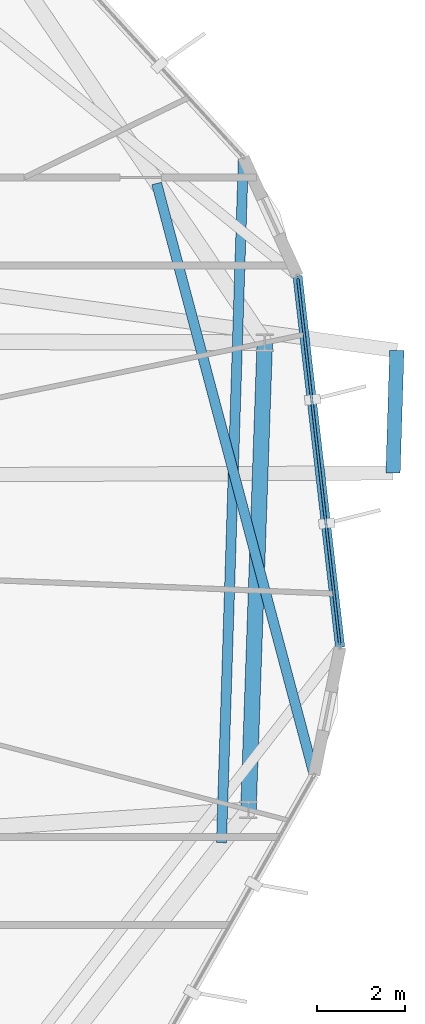
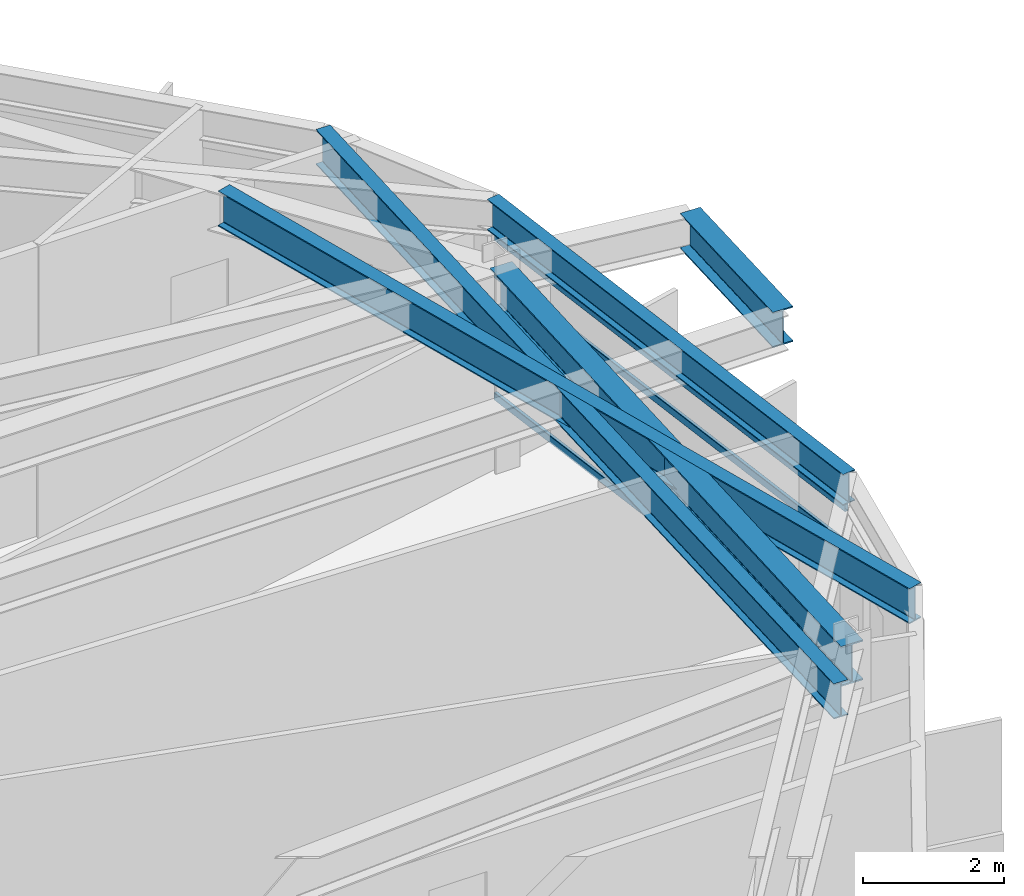
# One storey, part 11 of 23: 5 beams, 3 members, 1 element without a shape of its own.
"""IFC4 building model written with IfcOpenShell, lengths in metres."""

from ifc_helpers import new_model, si_unit, direction, frame, origin, origin_2d, place, context, subcontext, project, spatial, hollow_rectangle, i_section, extrude, material, layer, layer_set, material_profile, profile_set, type_object, element, aggregate, save


model = new_model("IFC4")

# Units and contexts
model_context = context("Model", 3, precision=1e-05, world=origin(), true_north=direction((0.0, 1.0)))
body_context = subcontext(model_context, "Body", "Model", "MODEL_VIEW")
ifc_project = project(units=[si_unit("LENGTHUNIT", "METRE"), si_unit("AREAUNIT", "SQUARE_METRE"), si_unit("VOLUMEUNIT", "CUBIC_METRE"), si_unit("PLANEANGLEUNIT", "RADIAN"), si_unit("MASSUNIT", "GRAM", prefix="KILO")], contexts=[model_context])

# Site, building, storey
site_placement = place(None, origin())
site = spatial("IfcSite", under=ifc_project, at=site_placement, CompositionType="ELEMENT")
building_placement = place(site_placement, origin())
building = spatial("IfcBuilding", under=site, at=building_placement, Name="Soratama Intermodal Tower", CompositionType="ELEMENT")
storey_placement = place(building_placement, frame((0.0, 0.0, 261.25)))
storey = spatial("IfcBuildingStorey", under=building, at=storey_placement, Name="L66", CompositionType="ELEMENT", Elevation=261.25)

# Beams
ifc_material_1 = material(Name="Structural steel ASTM A992 Grade 50", Category="steel")
ifc_material_profile_1 = material_profile(ifc_material_1, i_section(OverallWidth=0.324951171875, OverallDepth=0.615966796875, WebThickness=0.013916015625, FlangeThickness=0.021484375, FilletRadius=0.013916015625, at=origin_2d()), Name="W24X117")
ifc_profile_set_1 = profile_set([ifc_material_profile_1], Name="Structural steel ASTM A992 Grade 50")
beam_type_1 = type_object("IfcBeamType", Name="BM-CANT-W24X117", PredefinedType="BEAM", material=ifc_profile_set_1)
beam_1_placement = place(storey_placement, frame((64.450927734375, 26.778076171875, 3.14208984375), z_axis=(0.031270301844, 0.999510964533, 0.0), x_axis=(-0.999510964533, 0.031270301844, 0.0)))
element("IfcBeam", 1, at=beam_1_placement, inside=storey, type_object=beam_type_1, Name="BM-L66-CBHDR-1", PredefinedType="BEAM", context=body_context, shape_type="SweptSolid", body=[
    extrude(i_section(OverallWidth=0.324951171875, OverallDepth=0.615966796875, WebThickness=0.013916015625, FlangeThickness=0.021484375, FilletRadius=0.013916015625, at=origin_2d()), origin(), (0.0, 0.0, 1.0), 2.787353515625),
])
ifc_material_2 = material(Name="Structural steel ASTM A992 Grade 50", Category="steel")
ifc_material_profile_2 = material_profile(ifc_material_2, i_section(OverallWidth=0.35498046875, OverallDepth=0.695068359375, WebThickness=0.015380859375, FlangeThickness=0.02490234375, FilletRadius=0.01611328125, at=origin_2d()), Name="W27X146")
ifc_profile_set_2 = profile_set([ifc_material_profile_2], Name="Structural steel ASTM A992 Grade 50")
beam_type_2 = type_object("IfcBeamType", Name="BM-RING-W27X146", PredefinedType="BEAM", material=ifc_profile_set_2)
beam_2_placement = place(storey_placement, frame((61.1630859375, 19.116943359375, 3.1025390625), z_axis=(0.034885453879, 0.999391317307, 0.0), x_axis=(-0.999391317307, 0.034885453879, 0.0)))
element("IfcBeam", 2, at=beam_2_placement, inside=storey, type_object=beam_type_2, Name="BM-L66-RING-10", PredefinedType="BEAM", context=body_context, shape_type="SweptSolid", body=[
    extrude(i_section(OverallWidth=0.35498046875, OverallDepth=0.695068359375, WebThickness=0.015380859375, FlangeThickness=0.02490234375, FilletRadius=0.01611328125, at=origin_2d()), origin(), (0.0, 0.0, 1.0), 10.630615234375),
])
ifc_material_3 = material(Name="Structural steel ASTM A992 Grade 50", Category="steel")
ifc_material_profile_3 = material_profile(ifc_material_3, i_section(OverallWidth=0.2099609375, OverallDepth=0.537109375, WebThickness=0.010986328125, FlangeThickness=0.017333984375, FilletRadius=0.012939453125, at=origin_2d()), Name="W21X68")
ifc_profile_set_3 = profile_set([ifc_material_profile_3], Name="Structural steel ASTM A992 Grade 50")
beam_type_3 = type_object("IfcBeamType", Name="BM-SPN-W21X68", PredefinedType="SPANDREL", material=ifc_profile_set_3)
beam_3_placement = place(storey_placement, frame((63.248046875, 22.81396484375, 3.181396484375), z_axis=(-0.113992897863, 0.993481564619, 0.0), x_axis=(-0.993481564619, -0.113992897863, 0.0)))
element("IfcBeam", 3, at=beam_3_placement, inside=storey, type_object=beam_type_3, Name="BS-L66-F09", PredefinedType="SPANDREL", context=body_context, shape_type="SweptSolid", body=[
    extrude(i_section(OverallWidth=0.2099609375, OverallDepth=0.537109375, WebThickness=0.010986328125, FlangeThickness=0.017333984375, FilletRadius=0.012939453125, at=origin_2d()), origin(), (0.0, 0.0, 1.0), 8.50048828125),
])
ifc_material_4 = material(Name="Structural steel ASTM A992 Grade 50", Category="steel")
ifc_material_profile_4 = material_profile(ifc_material_4, i_section(OverallWidth=0.22900390625, OverallDepth=0.612060546875, WebThickness=0.011962890625, FlangeThickness=0.01953125, FilletRadius=0.012939453125, at=origin_2d()), Name="W24X84")
ifc_profile_set_4 = profile_set([ifc_material_profile_4], Name="Structural steel ASTM A992 Grade 50")
beam_type_4 = type_object("IfcBeamType", Name="BM-TIE-W24X84", PredefinedType="BEAM", material=ifc_profile_set_4)
beam_4_placement = place(storey_placement, frame((59.074951171875, 33.362060546875, 3.14404296875), z_axis=(0.25732650924, -0.966324514665, 0.0), x_axis=(0.966324514665, 0.25732650924, 0.0)))
element("IfcBeam", 4, at=beam_4_placement, inside=storey, type_object=beam_type_4, Name="BM-L66-TIE1-08", PredefinedType="BEAM", context=body_context, shape_type="SweptSolid", body=[
    extrude(i_section(OverallWidth=0.22900390625, OverallDepth=0.612060546875, WebThickness=0.011962890625, FlangeThickness=0.01953125, FilletRadius=0.012939453125, at=origin_2d()), origin(), (0.0, 0.0, 1.0), 13.924072265625),
])
beam_5_placement = place(storey_placement, frame((60.549072265625, 18.3701171875, 3.14404296875), z_axis=(0.031936585899, 0.999489897138, 0.0), x_axis=(-0.999489897138, 0.031936585899, 0.0)))
element("IfcBeam", 5, at=beam_5_placement, inside=storey, type_object=beam_type_4, Name="BM-L66-TIE0-10", PredefinedType="BEAM", context=body_context, shape_type="SweptSolid", body=[
    extrude(i_section(OverallWidth=0.22900390625, OverallDepth=0.612060546875, WebThickness=0.011962890625, FlangeThickness=0.01953125, FilletRadius=0.012939453125, at=origin_2d()), origin(), (0.0, 0.0, 1.0), 15.594970703125),
])

# Curtain wall, members
ifc_material_5 = material(Name="Double-glazed aluminium curtain wall", Category="aluminium")
ifc_layer = layer(ifc_material_5, 0.159912109375)
ifc_layer_set = layer_set([ifc_layer], Name="Double-glazed aluminium curtain wall")
curtain_wall_type = type_object("IfcCurtainWallType", Name="CW-SYS-5", PredefinedType="NOTDEFINED", material=ifc_layer_set)
curtain_wall_placement = place(storey_placement, origin())
curtain_wall = element("IfcCurtainWall", 6, at=curtain_wall_placement, inside=storey, type_object=curtain_wall_type, Name="L66 Faceted Curtain Wall F09", PredefinedType="NOTDEFINED")
ifc_material_6 = material(Name="Anodised aluminium AA 6063-T6", Category="aluminium")
ifc_material_profile_5 = material_profile(ifc_material_6, hollow_rectangle(XDim=0.06005859375, YDim=0.1298828125, WallThickness=0.0048828125, InnerFilletRadius=0.0048828125, OuterFilletRadius=0.010009765625, at=origin_2d()), Name="CWT130X60X5")
ifc_profile_set_5 = profile_set([ifc_material_profile_5], Name="Anodised aluminium AA 6063-T6")
member_type = type_object("IfcMemberType", Name="TT-CWT-2", PredefinedType="USERDEFINED", material=ifc_profile_set_5)
member_1_placement = place(storey_placement, frame((63.24072265625, 22.873779296875, 0.030029296875), z_axis=(-0.113887585018, 0.993493642646, 0.0), x_axis=(-0.993493642646, -0.113887585018, 0.0)))
member_1 = element("IfcMember", 7, at=member_1_placement, type_object=member_type, Name="CW-5 transom 1.1", ObjectType="TRANSOM", PredefinedType="USERDEFINED", context=body_context, shape_type="SweptSolid", body=[
    extrude(hollow_rectangle(XDim=0.06005859375, YDim=0.1298828125, WallThickness=0.0048828125, InnerFilletRadius=0.0048828125, OuterFilletRadius=0.010009765625, at=origin_2d()), origin(), (0.0, 0.0, 1.0), 8.379638671875),
])
member_2_placement = place(storey_placement, frame((63.24072265625, 22.873779296875, 2.14990234375), z_axis=(-0.113887585018, 0.993493642646, 0.0), x_axis=(-0.993493642646, -0.113887585018, 0.0)))
member_2 = element("IfcMember", 8, at=member_2_placement, type_object=member_type, Name="CW-5 transom 1.2", ObjectType="TRANSOM", PredefinedType="USERDEFINED", context=body_context, shape_type="SweptSolid", body=[
    extrude(hollow_rectangle(XDim=0.06005859375, YDim=0.1298828125, WallThickness=0.0048828125, InnerFilletRadius=0.0048828125, OuterFilletRadius=0.010009765625, at=origin_2d()), origin(), (0.0, 0.0, 1.0), 8.379638671875),
])
member_3_placement = place(storey_placement, frame((63.24072265625, 22.873779296875, 2.799072265625), z_axis=(-0.113887585018, 0.993493642646, 0.0), x_axis=(-0.993493642646, -0.113887585018, 0.0)))
member_3 = element("IfcMember", 9, at=member_3_placement, type_object=member_type, Name="CW-5 transom 1.3", ObjectType="TRANSOM", PredefinedType="USERDEFINED", context=body_context, shape_type="SweptSolid", body=[
    extrude(hollow_rectangle(XDim=0.06005859375, YDim=0.1298828125, WallThickness=0.0048828125, InnerFilletRadius=0.0048828125, OuterFilletRadius=0.010009765625, at=origin_2d()), origin(), (0.0, 0.0, 1.0), 8.379638671875),
])
aggregate(curtain_wall, [member_1, member_2, member_3])

save(model, "model.ifc")
